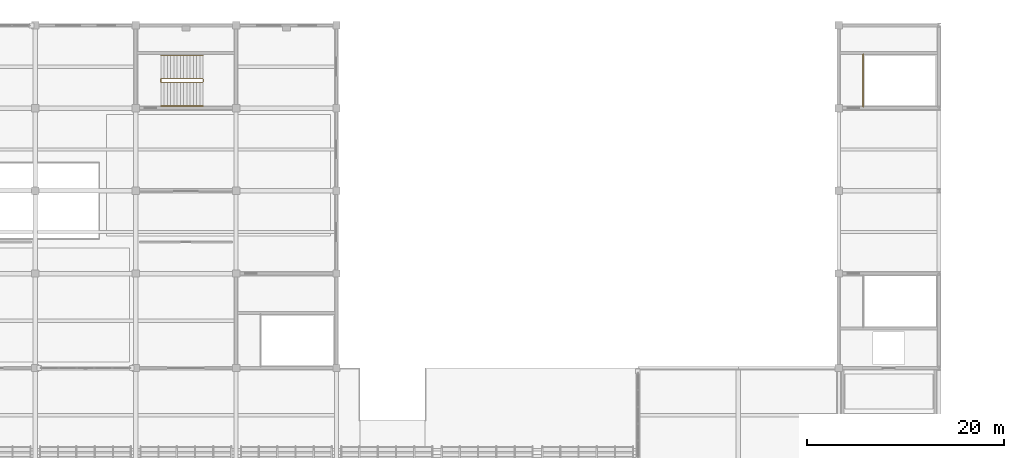
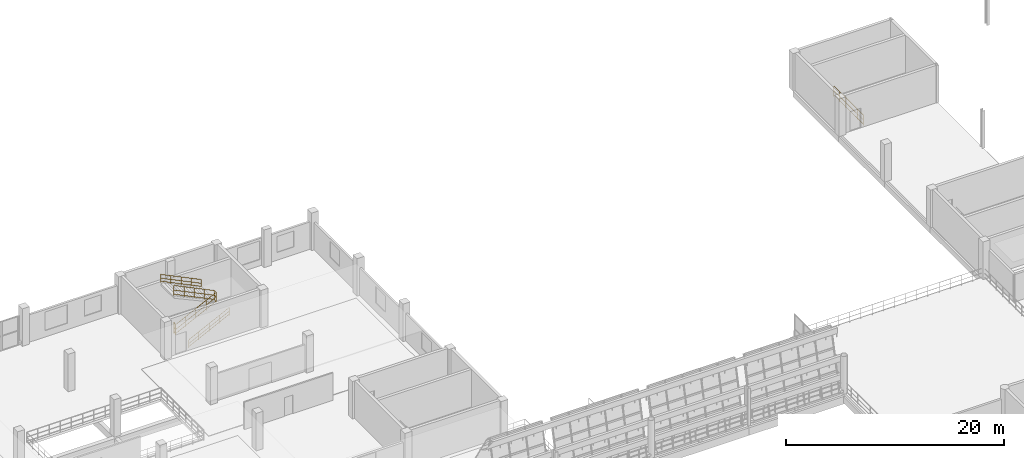
# One storey, part 157 of 157: 5 railings.
"""IFC4 building model written with IfcOpenShell, lengths in metres."""

from ifc_helpers import new_model, si_unit, direction, frame, origin, origin_2d, place, context, subcontext, project, spatial, circle, extrude, material, type_object, element, save


model = new_model("IFC4")

# Units and contexts
model_context = context("Model", 3, precision=1e-05, world=origin(), true_north=direction((0.0, 1.0)))
body_context = subcontext(model_context, "Body", "Model", "MODEL_VIEW")
ifc_project = project(units=[si_unit("LENGTHUNIT", "METRE"), si_unit("AREAUNIT", "SQUARE_METRE"), si_unit("VOLUMEUNIT", "CUBIC_METRE"), si_unit("PLANEANGLEUNIT", "RADIAN"), si_unit("MASSUNIT", "GRAM", prefix="KILO")], contexts=[model_context])

# Site, building, storey
site_placement = place(None, origin())
site = spatial("IfcSite", under=ifc_project, at=site_placement, CompositionType="ELEMENT")
building_placement = place(site_placement, origin())
building = spatial("IfcBuilding", under=site, at=building_placement, Name="Brelvane Convention Centre", CompositionType="ELEMENT")
storey_placement = place(building_placement, frame((0.0, 0.0, 10.800048828125)))
storey = spatial("IfcBuildingStorey", under=building, at=storey_placement, Name="L02", CompositionType="ELEMENT", Elevation=10.800048828125)

# Railings
ifc_material_1 = material(Name="Steel E350 (350 MPa)", Category="steel")
railing_type_1 = type_object("IfcRailingType", Name="Stair Railing GR-ST-1", PredefinedType="GUARDRAIL", material=ifc_material_1)
railing_1_placement = place(storey_placement, frame((94.35009765625, 138.239990234375, -0.02001953125)))
element("IfcRailing", 1, at=railing_1_placement, inside=storey, type_object=railing_type_1, Name="Stair ST-12 L02 Inner Well Guard", PredefinedType="GUARDRAIL", context=body_context, shape_type="SweptSolid", body=[
    extrude(circle(Radius=0.02392578125, at=origin_2d()), frame((0.0, 0.0, 1.1259765625), z_axis=(0.896509311837, 0.0, 0.443024890711), x_axis=(0.0, 1.0, 0.0)), (0.0, 0.0, 1.0), 4.784912109375),
    extrude(circle(Radius=0.02392578125, at=origin_2d()), frame((0.0, 0.0, 0.597900390625), z_axis=(0.896509311837, 0.0, 0.443024890711), x_axis=(0.0, 1.0, 0.0)), (0.0, 0.0, 1.0), 4.784912109375),
    extrude(circle(Radius=0.02392578125, at=origin_2d()), frame((0.0, 0.0, 0.139892578125), z_axis=(0.896509311837, 0.0, 0.443024890711), x_axis=(0.0, 1.0, 0.0)), (0.0, 0.0, 1.0), 4.784912109375),
    extrude(circle(Radius=0.02392578125, at=origin_2d()), frame((4.289794921875, 0.0, 3.245849609375), z_axis=(0.0, 1.0, 0.0), x_axis=(-1.0, 0.0, 0.0)), (0.0, 0.0, 1.0), 0.320068359375),
    extrude(circle(Radius=0.02392578125, at=origin_2d()), frame((4.289794921875, 0.0, 2.7177734375), z_axis=(0.0, 1.0, 0.0), x_axis=(-1.0, 0.0, 0.0)), (0.0, 0.0, 1.0), 0.320068359375),
    extrude(circle(Radius=0.02392578125, at=origin_2d()), frame((4.289794921875, 0.0, 2.259765625), z_axis=(0.0, 1.0, 0.0), x_axis=(-1.0, 0.0, 0.0)), (0.0, 0.0, 1.0), 0.320068359375),
    extrude(circle(Radius=0.02392578125, at=origin_2d()), frame((4.289794921875, 0.320068359375, 3.245849609375), z_axis=(-0.899799486326, 0.0, 0.436303660776), x_axis=(0.0, -1.0, 0.0)), (0.0, 0.0, 1.0), 4.767578125),
    extrude(circle(Radius=0.02392578125, at=origin_2d()), frame((4.289794921875, 0.320068359375, 2.7177734375), z_axis=(-0.899799486326, 0.0, 0.436303660776), x_axis=(0.0, -1.0, 0.0)), (0.0, 0.0, 1.0), 4.767578125),
    extrude(circle(Radius=0.02392578125, at=origin_2d()), frame((4.289794921875, 0.320068359375, 2.259765625), z_axis=(-0.899799486326, 0.0, 0.436303660776), x_axis=(0.0, -1.0, 0.0)), (0.0, 0.0, 1.0), 4.767578125),
    extrude(circle(Radius=0.02099609375, at=origin_2d()), origin(), (0.0, 0.0, 1.0), 1.101806640625),
    extrude(circle(Radius=0.02099609375, at=origin_2d()), frame((1.072509765625, 0.0, 0.530029296875)), (0.0, 0.0, 1.0), 1.101806640625),
    extrude(circle(Radius=0.02099609375, at=origin_2d()), frame((2.14501953125, 0.0, 1.06005859375)), (0.0, 0.0, 1.0), 1.101806640625),
    extrude(circle(Radius=0.02099609375, at=origin_2d()), frame((3.21728515625, 0.0, 1.58984375)), (0.0, 0.0, 1.0), 1.101806640625),
    extrude(circle(Radius=0.02099609375, at=origin_2d()), frame((4.289794921875, 0.0, 2.119873046875)), (0.0, 0.0, 1.0), 1.101806640625),
    extrude(circle(Radius=0.02099609375, at=origin_2d()), frame((4.289794921875, 0.320068359375, 2.119873046875)), (0.0, 0.0, 1.0), 1.101806640625),
    extrude(circle(Radius=0.02099609375, at=origin_2d()), frame((3.21728515625, 0.320068359375, 2.639892578125)), (0.0, 0.0, 1.0), 1.101806640625),
    extrude(circle(Radius=0.02099609375, at=origin_2d()), frame((2.14501953125, 0.320068359375, 3.159912109375)), (0.0, 0.0, 1.0), 1.101806640625),
    extrude(circle(Radius=0.02099609375, at=origin_2d()), frame((1.072509765625, 0.320068359375, 3.679931640625)), (0.0, 0.0, 1.0), 1.101806640625),
    extrude(circle(Radius=0.02099609375, at=origin_2d()), frame((0.0, 0.320068359375, 4.199951171875)), (0.0, 0.0, 1.0), 1.101806640625),
])
ifc_material_2 = material(Name="Steel E350 (350 MPa)", Category="steel")
railing_type_2 = type_object("IfcRailingType", Name="Stair Railing GR-ST-2", PredefinedType="GUARDRAIL", material=ifc_material_2)
railing_2_placement = place(storey_placement, frame((165.68994140625, 135.719970703125, -0.02001953125)))
element("IfcRailing", 2, at=railing_2_placement, inside=storey, type_object=railing_type_2, Name="Stair ST-11 L02 Top Well Guard", PredefinedType="GUARDRAIL", context=body_context, shape_type="SweptSolid", body=[
    extrude(circle(Radius=0.02392578125, at=origin_2d()), frame((0.0, 0.0, 1.15576171875), z_axis=(0.0, 1.0, 0.0), x_axis=(-1.0, 0.0, 0.0)), (0.0, 0.0, 1.0), 5.360107421875),
    extrude(circle(Radius=0.02392578125, at=origin_2d()), frame((0.0, 0.0, 0.613525390625), z_axis=(0.0, 1.0, 0.0), x_axis=(-1.0, 0.0, 0.0)), (0.0, 0.0, 1.0), 5.360107421875),
    extrude(circle(Radius=0.02392578125, at=origin_2d()), frame((0.0, 0.0, 0.139892578125), z_axis=(0.0, 1.0, 0.0), x_axis=(-1.0, 0.0, 0.0)), (0.0, 0.0, 1.0), 5.360107421875),
    extrude(circle(Radius=0.02099609375, at=origin_2d()), origin(), (0.0, 0.0, 1.0), 1.1318359375),
    extrude(circle(Radius=0.02099609375, at=origin_2d()), frame((0.0, 1.072021484375, 0.0)), (0.0, 0.0, 1.0), 1.1318359375),
    extrude(circle(Radius=0.02099609375, at=origin_2d()), frame((0.0, 2.14404296875, 0.0)), (0.0, 0.0, 1.0), 1.1318359375),
    extrude(circle(Radius=0.02099609375, at=origin_2d()), frame((0.0, 3.216064453125, 0.0)), (0.0, 0.0, 1.0), 1.1318359375),
    extrude(circle(Radius=0.02099609375, at=origin_2d()), frame((0.0, 4.2880859375, 0.0)), (0.0, 0.0, 1.0), 1.1318359375),
    extrude(circle(Radius=0.02099609375, at=origin_2d()), frame((0.0, 5.360107421875, 0.0)), (0.0, 0.0, 1.0), 1.1318359375),
])
railing_3_placement = place(storey_placement, frame((94.35009765625, 138.239990234375, -0.02001953125)))
element("IfcRailing", 3, at=railing_3_placement, inside=storey, type_object=railing_type_2, Name="Stair ST-12 L02 Landing Well Guard", PredefinedType="GUARDRAIL", context=body_context, shape_type="SweptSolid", body=[
    extrude(circle(Radius=0.02392578125, at=origin_2d()), frame((0.0, 0.0, 1.15576171875), z_axis=(0.0, 1.0, 0.0), x_axis=(-1.0, 0.0, 0.0)), (0.0, 0.0, 1.0), 0.320068359375),
    extrude(circle(Radius=0.02392578125, at=origin_2d()), frame((0.0, 0.0, 0.613525390625), z_axis=(0.0, 1.0, 0.0), x_axis=(-1.0, 0.0, 0.0)), (0.0, 0.0, 1.0), 0.320068359375),
    extrude(circle(Radius=0.02392578125, at=origin_2d()), frame((0.0, 0.0, 0.139892578125), z_axis=(0.0, 1.0, 0.0), x_axis=(-1.0, 0.0, 0.0)), (0.0, 0.0, 1.0), 0.320068359375),
    extrude(circle(Radius=0.02099609375, at=origin_2d()), origin(), (0.0, 0.0, 1.0), 1.1318359375),
    extrude(circle(Radius=0.02099609375, at=origin_2d()), frame((0.0, 0.320068359375, 0.0)), (0.0, 0.0, 1.0), 1.1318359375),
])
ifc_material_3 = material(Name="Steel E350 (350 MPa)", Category="steel")
railing_type_3 = type_object("IfcRailingType", Name="Stair Railing HR-ST-1", PredefinedType="HANDRAIL", material=ifc_material_3)
railing_4_placement = place(storey_placement, frame((94.35009765625, 135.830078125, -0.02001953125)))
element("IfcRailing", 4, at=railing_4_placement, inside=storey, type_object=railing_type_3, Name="Stair ST-12 L02 Outer Handrail F1", PredefinedType="HANDRAIL", context=body_context, shape_type="SweptSolid", body=[
    extrude(circle(Radius=0.02392578125, at=origin_2d()), frame((0.0, 0.0, 0.89599609375), z_axis=(0.896509311837, 0.0, 0.443024890711), x_axis=(0.0, 1.0, 0.0)), (0.0, 0.0, 1.0), 4.784912109375),
    extrude(circle(Radius=0.02392578125, at=origin_2d()), frame((0.0, 0.0, 0.478271484375), z_axis=(0.896509311837, 0.0, 0.443024890711), x_axis=(0.0, 1.0, 0.0)), (0.0, 0.0, 1.0), 4.784912109375),
    extrude(circle(Radius=0.02392578125, at=origin_2d()), frame((0.0, 0.0, 0.139892578125), z_axis=(0.896509311837, 0.0, 0.443024890711), x_axis=(0.0, 1.0, 0.0)), (0.0, 0.0, 1.0), 4.784912109375),
    extrude(circle(Radius=0.02099609375, at=origin_2d()), origin(), (0.0, 0.0, 1.0), 0.871826171875),
    extrude(circle(Radius=0.02099609375, at=origin_2d()), frame((1.072509765625, 0.0, 0.530029296875)), (0.0, 0.0, 1.0), 0.871826171875),
    extrude(circle(Radius=0.02099609375, at=origin_2d()), frame((2.14501953125, 0.0, 1.06005859375)), (0.0, 0.0, 1.0), 0.871826171875),
    extrude(circle(Radius=0.02099609375, at=origin_2d()), frame((3.21728515625, 0.0, 1.58984375)), (0.0, 0.0, 1.0), 0.871826171875),
    extrude(circle(Radius=0.02099609375, at=origin_2d()), frame((4.289794921875, 0.0, 2.119873046875)), (0.0, 0.0, 1.0), 0.871826171875),
])
railing_5_placement = place(storey_placement, frame((98.639892578125, 140.969970703125, 2.099853515625)))
element("IfcRailing", 5, at=railing_5_placement, inside=storey, type_object=railing_type_3, Name="Stair ST-12 L02 Outer Handrail F2", PredefinedType="HANDRAIL", context=body_context, shape_type="SweptSolid", body=[
    extrude(circle(Radius=0.02392578125, at=origin_2d()), frame((0.0, 0.0, 0.89599609375), z_axis=(-0.899799486326, 0.0, 0.436303660776), x_axis=(0.0, -1.0, 0.0)), (0.0, 0.0, 1.0), 4.767578125),
    extrude(circle(Radius=0.02392578125, at=origin_2d()), frame((0.0, 0.0, 0.478271484375), z_axis=(-0.899799486326, 0.0, 0.436303660776), x_axis=(0.0, -1.0, 0.0)), (0.0, 0.0, 1.0), 4.767578125),
    extrude(circle(Radius=0.02392578125, at=origin_2d()), frame((0.0, 0.0, 0.139892578125), z_axis=(-0.899799486326, 0.0, 0.436303660776), x_axis=(0.0, -1.0, 0.0)), (0.0, 0.0, 1.0), 4.767578125),
    extrude(circle(Radius=0.02099609375, at=origin_2d()), origin(), (0.0, 0.0, 1.0), 0.871826171875),
    extrude(circle(Radius=0.02099609375, at=origin_2d()), frame((-1.072509765625, 0.0, 0.52001953125)), (0.0, 0.0, 1.0), 0.871826171875),
    extrude(circle(Radius=0.02099609375, at=origin_2d()), frame((-2.14501953125, 0.0, 1.0400390625)), (0.0, 0.0, 1.0), 0.871826171875),
    extrude(circle(Radius=0.02099609375, at=origin_2d()), frame((-3.21728515625, 0.0, 1.56005859375)), (0.0, 0.0, 1.0), 0.871826171875),
    extrude(circle(Radius=0.02099609375, at=origin_2d()), frame((-4.289794921875, 0.0, 2.080078125)), (0.0, 0.0, 1.0), 0.871826171875),
])

save(model, "model.ifc")
